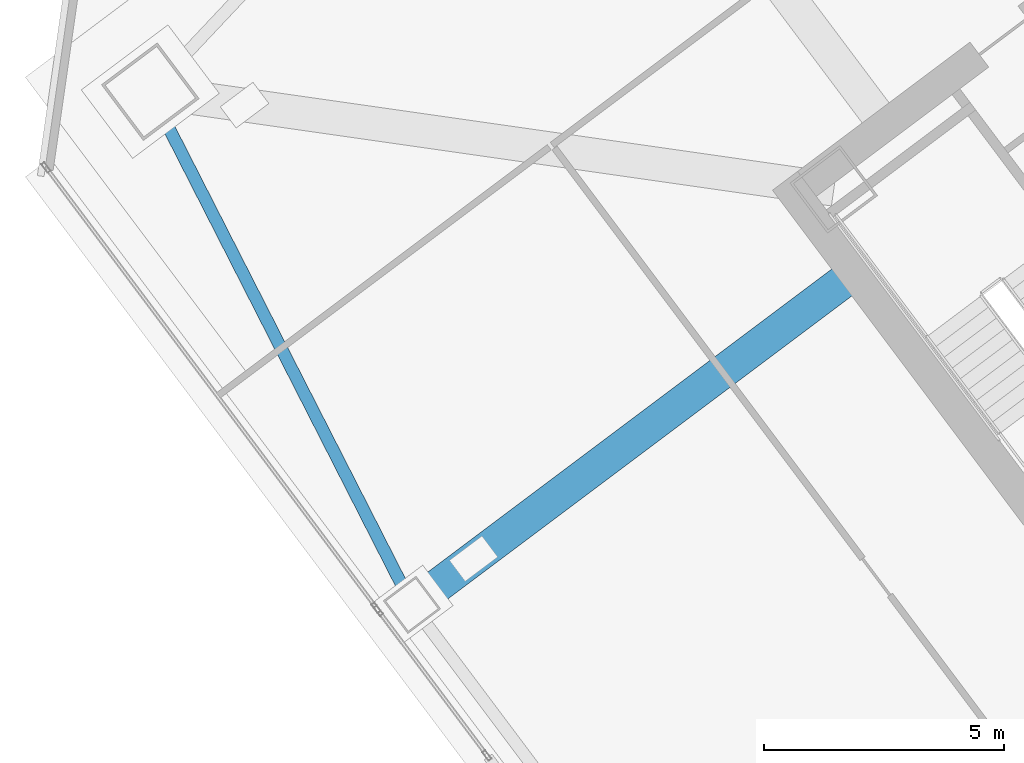
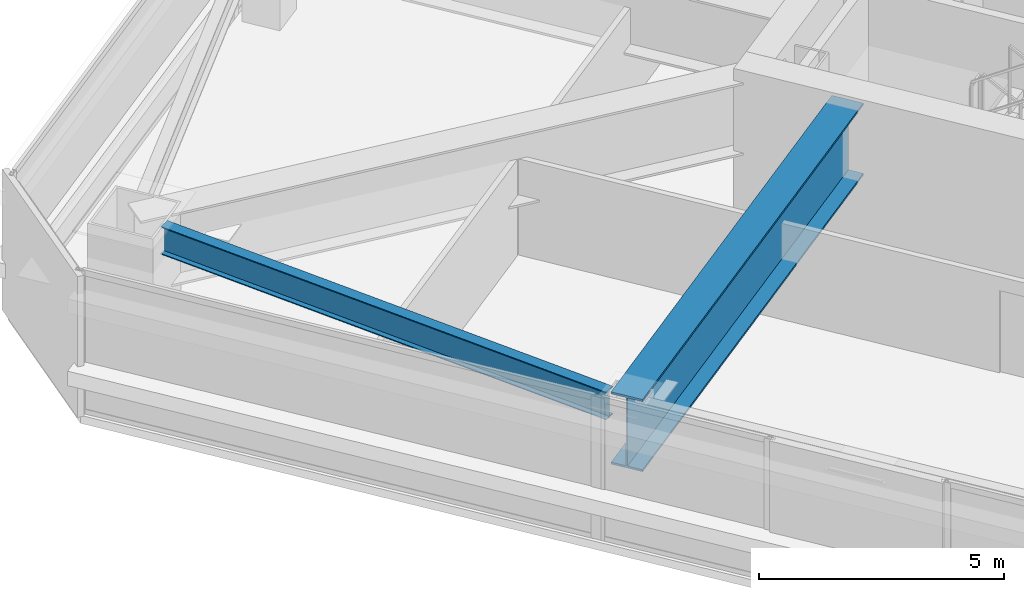
# One storey, part 22 of 49: 2 beams.
"""IFC4 building model written with IfcOpenShell, lengths in metres."""

from ifc_helpers import new_model, si_unit, direction, frame, origin, origin_2d, place, context, subcontext, project, spatial, i_section, extrude, material, material_profile, profile_set, type_object, element, save


model = new_model("IFC4")

# Units and contexts
model_context = context("Model", 3, precision=1e-05, world=origin(), true_north=direction((0.0, 1.0)))
body_context = subcontext(model_context, "Body", "Model", "MODEL_VIEW")
ifc_project = project(units=[si_unit("LENGTHUNIT", "METRE"), si_unit("AREAUNIT", "SQUARE_METRE"), si_unit("VOLUMEUNIT", "CUBIC_METRE"), si_unit("PLANEANGLEUNIT", "RADIAN"), si_unit("MASSUNIT", "GRAM", prefix="KILO")], contexts=[model_context])

# Site, building, storey
site_placement = place(None, origin())
site = spatial("IfcSite", under=ifc_project, at=site_placement, CompositionType="ELEMENT")
building_placement = place(site_placement, origin())
building = spatial("IfcBuilding", under=site, at=building_placement, Name="Tashvorn Skyway Center", CompositionType="ELEMENT")
storey_placement = place(building_placement, frame((0.0, 0.0, 106.25)))
storey = spatial("IfcBuildingStorey", under=building, at=storey_placement, Name="L28", CompositionType="ELEMENT", Elevation=106.25)

# Beams
ifc_material_1 = material(Name="Steel ASTM A572 Grade 50", Category="steel")
ifc_material_profile_1 = material_profile(ifc_material_1, i_section(OverallWidth=0.699951171875, OverallDepth=1.800048828125, WebThickness=0.031982421875, FlangeThickness=0.050048828125, at=origin_2d()), Name="PG1800x700")
ifc_profile_set_1 = profile_set([ifc_material_profile_1], Name="Steel ASTM A572 Grade 50")
beam_type_1 = type_object("IfcBeamType", Name="BM-BEAM-PG1800x700", PredefinedType="BEAM", material=ifc_profile_set_1)
beam_1_placement = place(storey_placement, frame((95.360107421875, 24.77001953125, 2.35009765625), z_axis=(0.799989782901, 0.600013622557, 0.0), x_axis=(-0.600013622557, 0.799989782901, 0.0)))
element("IfcBeam", 1, at=beam_1_placement, inside=storey, type_object=beam_type_1, Name="Tower 2 L28 Setback Transfer Girder FC-W1", PredefinedType="BEAM", context=body_context, shape_type="SweptSolid", body=[
    extrude(i_section(OverallWidth=0.699951171875, OverallDepth=1.800048828125, WebThickness=0.031982421875, FlangeThickness=0.050048828125, at=origin_2d()), origin(), (0.0, 0.0, 1.0), 11.469970703125),
])
ifc_material_2 = material(Name="Steel ASTM A992 Grade 50", Category="steel")
ifc_material_profile_2 = material_profile(ifc_material_2, i_section(OverallWidth=0.256103515625, OverallDepth=0.693115234375, WebThickness=0.014404296875, FlangeThickness=0.023681640625, at=origin_2d()), Name="W27X114")
ifc_profile_set_2 = profile_set([ifc_material_profile_2], Name="Steel ASTM A992 Grade 50")
beam_type_2 = type_object("IfcBeamType", Name="BM-SPANDREL-W27X114", PredefinedType="SPANDREL", material=ifc_profile_set_2)
beam_2_placement = place(storey_placement, frame((90.2470703125, 34.798583984375, 2.903564453125), z_axis=(0.454210938961, -0.890894170442, 0.0), x_axis=(0.890894170442, 0.454210938961, 0.0)))
element("IfcBeam", 2, at=beam_2_placement, inside=storey, type_object=beam_type_2, Name="Tower 2 L28 Spandrel Beam 10", PredefinedType="SPANDREL", context=body_context, shape_type="SweptSolid", body=[
    extrude(i_section(OverallWidth=0.256103515625, OverallDepth=0.693115234375, WebThickness=0.014404296875, FlangeThickness=0.023681640625, at=origin_2d()), origin(), (0.0, 0.0, 1.0), 10.836669921875),
])

save(model, "model.ifc")
